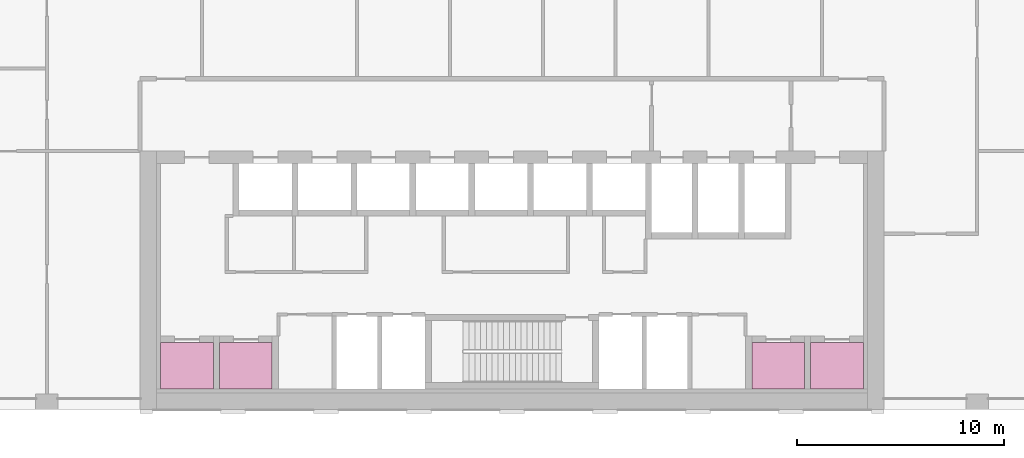
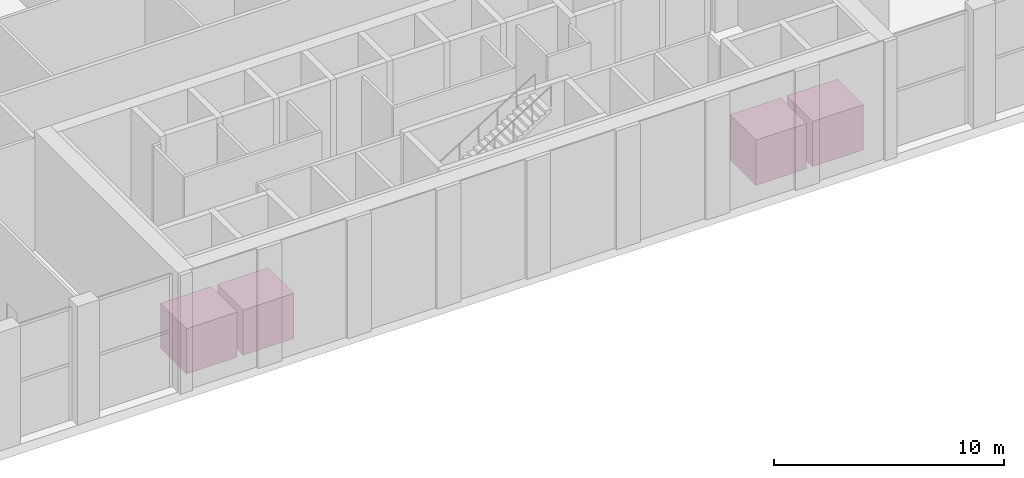
# One storey, part 21 of 21: 4 transport elements.
"""IFC4 building model written with IfcOpenShell, lengths in metres."""

from ifc_helpers import new_model, si_unit, direction, frame, origin, origin_2d, place, context, subcontext, project, spatial, rectangle, extrude, material, type_object, element, save


model = new_model("IFC4")

# Units and contexts
model_context = context("Model", 3, precision=1e-05, world=origin(), true_north=direction((0.0, 1.0)))
body_context = subcontext(model_context, "Body", "Model", "MODEL_VIEW")
ifc_project = project(units=[si_unit("LENGTHUNIT", "METRE"), si_unit("AREAUNIT", "SQUARE_METRE"), si_unit("VOLUMEUNIT", "CUBIC_METRE"), si_unit("PLANEANGLEUNIT", "RADIAN"), si_unit("MASSUNIT", "GRAM", prefix="KILO")], contexts=[model_context])

# Site, building, storey
site_placement = place(None, origin())
site = spatial("IfcSite", under=ifc_project, at=site_placement, CompositionType="ELEMENT")
building_placement = place(site_placement, origin())
building = spatial("IfcBuilding", under=site, at=building_placement, Name="Brigalow Station Residences", CompositionType="ELEMENT")
storey_placement = place(building_placement, frame((0.0, 0.0, 77.25)))
storey = spatial("IfcBuildingStorey", under=building, at=storey_placement, Name="L22", CompositionType="ELEMENT", Elevation=77.25)

# Transport elements
ifc_material = material(Name="Stainless steel car with laminated glass panels", Category="steel")
transport_element_type = type_object("IfcTransportElementType", Name="HIGH-RISE PASSENGER LIFT 1600 KG 2100 x 1600", PredefinedType="ELEVATOR", material=ifc_material)
for number, where, z_axis, x_axis, name in (
    (1, (20.27490234375, 2.125, 0.0), (0.0, 0.0, 1.0), (1.0, 0.0, 0.0), "HIGH-RISE LIFT LB1"),
    (2, (23.125, 2.125, 0.0), (0.0, 0.0, 1.0), (1.0, 0.0, 0.0), "HIGH-RISE LIFT LB2"),
    (3, (48.875, 2.125, 0.0), (0.0, 0.0, 1.0), (1.0, 0.0, 0.0), "HIGH-RISE LIFT LB3"),
    (4, (51.72509765625, 2.125, 0.0), (0.0, 0.0, 1.0), (1.0, 0.0, 0.0), "HIGH-RISE LIFT LB4"),
):
    element("IfcTransportElement", number, at=place(storey_placement, frame(where, z_axis=z_axis, x_axis=x_axis)), inside=storey, type_object=transport_element_type, Name=name, PredefinedType="ELEVATOR", context=body_context, shape_type="SweptSolid", body=[
        extrude(rectangle(XDim=2.550048828125, YDim=2.25, at=origin_2d()), origin(), (0.0, 0.0, 1.0), 2.39990234375),
    ])

save(model, "model.ifc")
